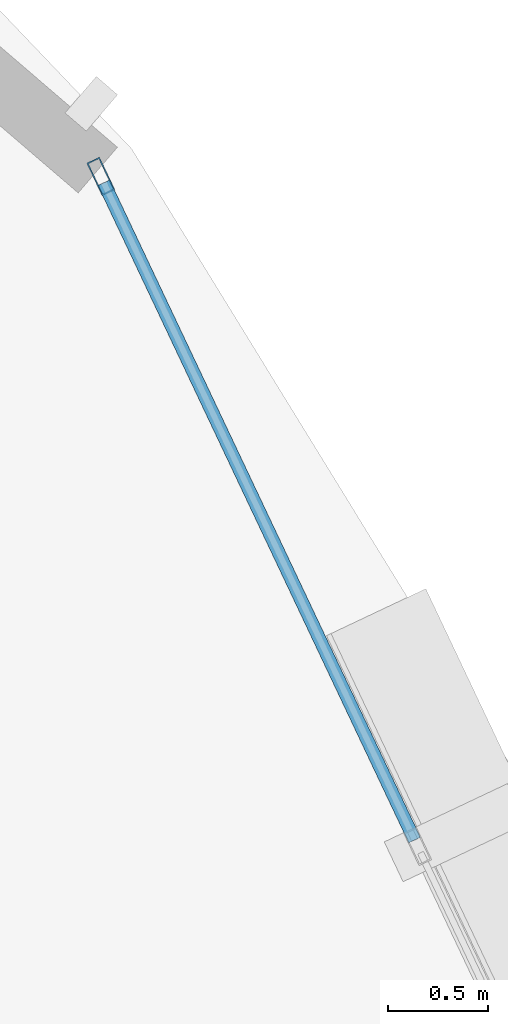
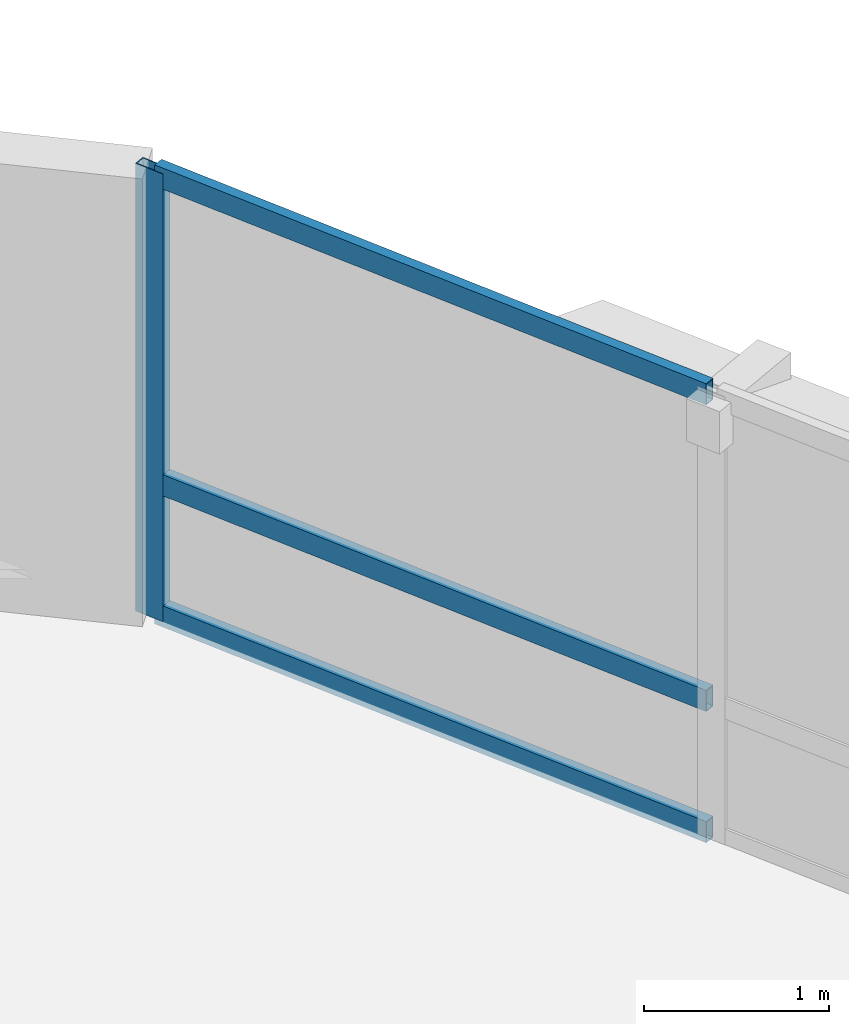
# One storey, part 10 of 17: 4 members, 1 element without a shape of its own.
"""IFC4 building model written with IfcOpenShell, lengths in metres."""

from ifc_helpers import new_model, si_unit, direction, frame, origin, origin_2d, place, context, subcontext, project, spatial, hollow_rectangle, extrude, material, layer, layer_set, material_profile, profile_set, type_object, element, aggregate, save


model = new_model("IFC4")

# Units and contexts
model_context = context("Model", 3, precision=1e-05, world=origin(), true_north=direction((0.0, 1.0)))
body_context = subcontext(model_context, "Body", "Model", "MODEL_VIEW")
ifc_project = project(units=[si_unit("LENGTHUNIT", "METRE"), si_unit("AREAUNIT", "SQUARE_METRE"), si_unit("VOLUMEUNIT", "CUBIC_METRE"), si_unit("PLANEANGLEUNIT", "RADIAN"), si_unit("MASSUNIT", "GRAM", prefix="KILO"), si_unit("THERMODYNAMICTEMPERATUREUNIT", "KELVIN"), si_unit("POWERUNIT", "WATT")], contexts=[model_context])

# Site, building, storey
site_placement = place(None, origin())
site = spatial("IfcSite", under=ifc_project, at=site_placement, CompositionType="ELEMENT")
building_placement = place(site_placement, origin())
building = spatial("IfcBuilding", under=site, at=building_placement, Name="Ocrelia Relay Tower", CompositionType="ELEMENT")
storey_placement = place(building_placement, frame((0.0, 0.0, 84.60009765625)))
storey = spatial("IfcBuildingStorey", under=building, at=storey_placement, Name="L19", CompositionType="ELEMENT", Elevation=84.60009765625)

# Curtain wall, members
ifc_material_1 = material(Name="Aluminium and solar-control low-E glass", Category="aluminium")
ifc_layer = layer(ifc_material_1, 0.179931640625, Name="Aluminium and solar-control low-E glass")
ifc_layer_set = layer_set([ifc_layer], Name="Aluminium and solar-control low-E glass")
curtain_wall_type = type_object("IfcCurtainWallType", Name="CW-SYS-Z1-DATA", PredefinedType="NOTDEFINED", material=ifc_layer_set)
curtain_wall_placement = place(storey_placement, origin())
curtain_wall = element("IfcCurtainWall", 1, at=curtain_wall_placement, inside=storey, type_object=curtain_wall_type, Name="L19 Elliptical Tower Curtain Wall Bay 01", PredefinedType="NOTDEFINED")
ifc_material_2 = material(Name="Anodised bronze aluminium", Category="aluminium")
ifc_material_profile_1 = material_profile(ifc_material_2, hollow_rectangle(XDim=0.070068359375, YDim=0.179931640625, WallThickness=0.006103515625, at=origin_2d()), Name="CW-MUL-180x70")
ifc_profile_set_1 = profile_set([ifc_material_profile_1], Name="Anodised bronze aluminium")
member_type_1 = type_object("IfcMemberType", Name="CW-SYS-Z1-DATA-MUL", PredefinedType="MULLION", material=ifc_profile_set_1)
member_1_placement = place(storey_placement, frame((57.975830078125, 38.672119140625, 0.0), z_axis=(0.0, 0.0, 1.0), x_axis=(-0.904007319027, -0.42751697878, 0.0)))
member_1 = element("IfcMember", 2, at=member_1_placement, type_object=member_type_1, Name="CW-Z1 mullion 3", PredefinedType="MULLION", context=body_context, shape_type="SweptSolid", body=[
    extrude(hollow_rectangle(XDim=0.070068359375, YDim=0.179931640625, WallThickness=0.006103515625, at=origin_2d()), origin(), (0.0, 0.0, 1.0), 2.9599609375),
])
ifc_material_profile_2 = material_profile(ifc_material_2, hollow_rectangle(XDim=0.06494140625, YDim=0.139892578125, WallThickness=0.0048828125, at=origin_2d()), Name="CW-TRN-140x65")
ifc_profile_set_2 = profile_set([ifc_material_profile_2], Name="Anodised bronze aluminium")
member_type_2 = type_object("IfcMemberType", Name="CW-SYS-Z1-DATA-TRN", PredefinedType="USERDEFINED", material=ifc_profile_set_2)
member_2_placement = place(storey_placement, frame((59.543701171875, 35.3564453125, 0.032470703125), z_axis=(-0.427482480577, 0.904023632877, 0.0), x_axis=(-0.904023632877, -0.427482480577, 0.0)))
member_2 = element("IfcMember", 3, at=member_2_placement, type_object=member_type_2, Name="CW-Z1 transom 2.1", ObjectType="TRANSOM", PredefinedType="USERDEFINED", context=body_context, shape_type="SweptSolid", body=[
    extrude(hollow_rectangle(XDim=0.06494140625, YDim=0.139892578125, WallThickness=0.0048828125, at=origin_2d()), origin(), (0.0, 0.0, 1.0), 3.6328125),
])
member_3_placement = place(storey_placement, frame((59.543701171875, 35.3564453125, 0.89990234375), z_axis=(-0.427482480577, 0.904023632877, 0.0), x_axis=(-0.904023632877, -0.427482480577, 0.0)))
member_3 = element("IfcMember", 4, at=member_3_placement, type_object=member_type_2, Name="CW-Z1 transom 2.2", ObjectType="TRANSOM", PredefinedType="USERDEFINED", context=body_context, shape_type="SweptSolid", body=[
    extrude(hollow_rectangle(XDim=0.06494140625, YDim=0.139892578125, WallThickness=0.0048828125, at=origin_2d()), origin(), (0.0, 0.0, 1.0), 3.6328125),
])
member_4_placement = place(storey_placement, frame((59.543701171875, 35.3564453125, 2.927490234375), z_axis=(-0.427482480577, 0.904023632877, 0.0), x_axis=(-0.904023632877, -0.427482480577, 0.0)))
member_4 = element("IfcMember", 5, at=member_4_placement, type_object=member_type_2, Name="CW-Z1 transom 2.3", ObjectType="TRANSOM", PredefinedType="USERDEFINED", context=body_context, shape_type="SweptSolid", body=[
    extrude(hollow_rectangle(XDim=0.06494140625, YDim=0.139892578125, WallThickness=0.0048828125, at=origin_2d()), origin(), (0.0, 0.0, 1.0), 3.6328125),
])
aggregate(curtain_wall, [member_1, member_2, member_3, member_4])

save(model, "model.ifc")
